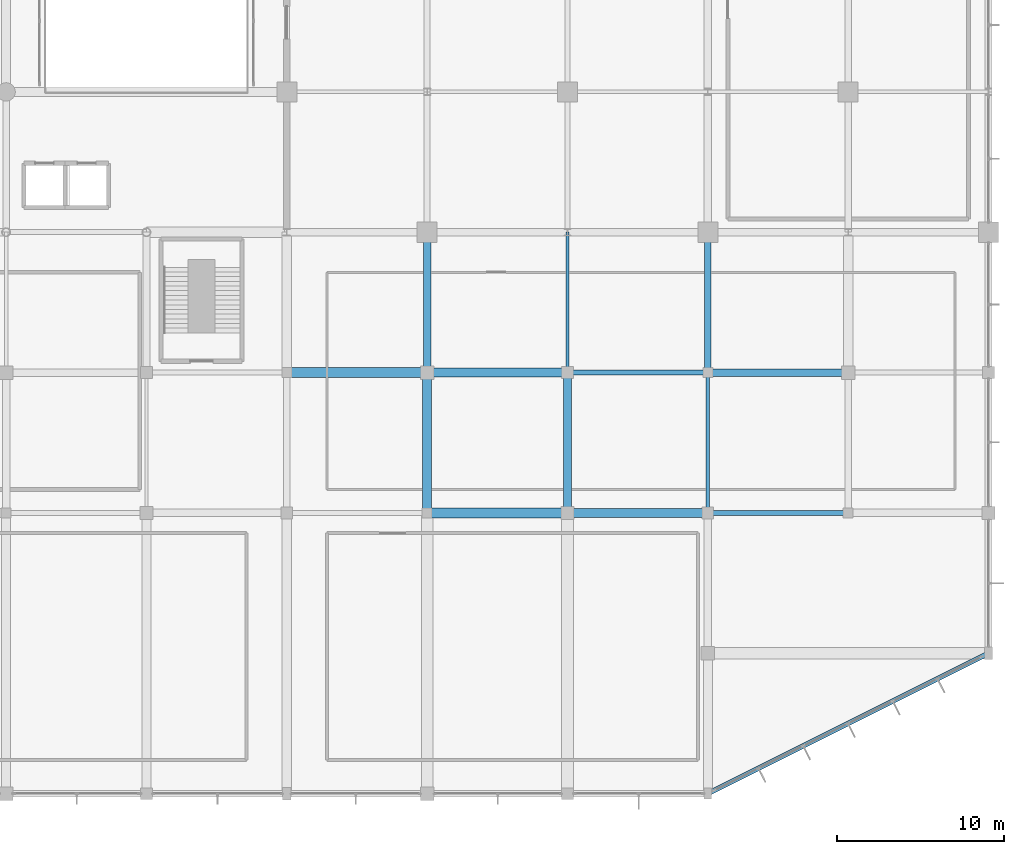
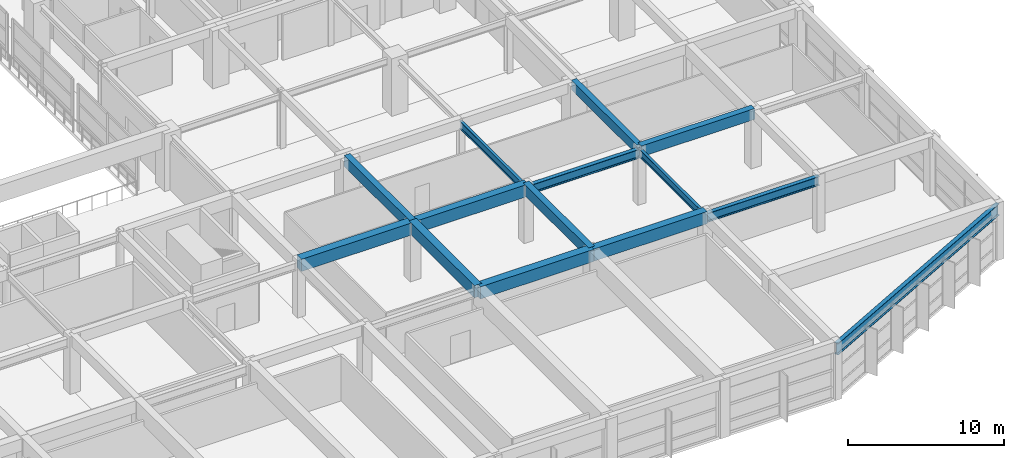
# One storey, part 34 of 65: 14 beams.
"""IFC4 building model written with IfcOpenShell, lengths in metres."""

from ifc_helpers import new_model, si_unit, direction, frame, origin, origin_2d, place, context, subcontext, project, spatial, rectangle, i_section, extrude, material, material_profile, profile_set, type_object, element, save


model = new_model("IFC4")

# Units and contexts
model_context = context("Model", 3, precision=1e-05, world=origin(), true_north=direction((0.0, 1.0)))
body_context = subcontext(model_context, "Body", "Model", "MODEL_VIEW")
ifc_project = project(units=[si_unit("LENGTHUNIT", "METRE"), si_unit("AREAUNIT", "SQUARE_METRE"), si_unit("VOLUMEUNIT", "CUBIC_METRE"), si_unit("PLANEANGLEUNIT", "RADIAN"), si_unit("MASSUNIT", "GRAM", prefix="KILO")], contexts=[model_context])

# Site, building, storey
site_placement = place(None, origin())
site = spatial("IfcSite", under=ifc_project, at=site_placement, CompositionType="ELEMENT")
building_placement = place(site_placement, origin())
building = spatial("IfcBuilding", under=site, at=building_placement, Name="Xuanlan Plaza Opera House", CompositionType="ELEMENT")
storey_placement = place(building_placement, frame((0.0, 0.0, 5.39990234375)))
storey = spatial("IfcBuildingStorey", under=building, at=storey_placement, Name="L01", CompositionType="ELEMENT", Elevation=5.39990234375)

# Beams
ifc_material_1 = material(Name="Concrete C50", Category="concrete")
ifc_material_profile_1 = material_profile(ifc_material_1, rectangle(XDim=0.60009765625, YDim=0.949951171875, at=origin_2d()), Name="RC-BM 600x950")
ifc_profile_set_1 = profile_set([ifc_material_profile_1], Name="Concrete C50")
beam_type_1 = type_object("IfcBeamType", Name="STR-BM-B-01", PredefinedType="BEAM", material=ifc_profile_set_1)
beam_1_placement = place(storey_placement, frame((134.39990234375, 16.800048828125, 4.025146484375), z_axis=(1.0, 0.0, 0.0), x_axis=(0.0, 1.0, 0.0)))
element("IfcBeam", 1, at=beam_1_placement, inside=storey, type_object=beam_type_1, Name="Grid Beam X L01 17-18/C", PredefinedType="BEAM", context=body_context, shape_type="SweptSolid", body=[
    extrude(rectangle(XDim=0.60009765625, YDim=0.949951171875, at=origin_2d()), origin(), (0.0, 0.0, 1.0), 8.400146484375),
])
beam_2_placement = place(storey_placement, frame((126.0, 25.199951171875, 4.025146484375), z_axis=(1.0, 0.0, 0.0), x_axis=(0.0, 1.0, 0.0)))
element("IfcBeam", 2, at=beam_2_placement, inside=storey, type_object=beam_type_1, Name="Grid Beam X L01 16-17/D", PredefinedType="BEAM", context=body_context, shape_type="SweptSolid", body=[
    extrude(rectangle(XDim=0.60009765625, YDim=0.949951171875, at=origin_2d()), origin(), (0.0, 0.0, 1.0), 8.39990234375),
])
ifc_material_profile_2 = material_profile(ifc_material_1, rectangle(XDim=0.550048828125, YDim=0.949951171875, at=origin_2d()), Name="RC-BM 550x950")
ifc_profile_set_2 = profile_set([ifc_material_profile_2], Name="Concrete C50")
beam_type_2 = type_object("IfcBeamType", Name="STR-BM-B-02", PredefinedType="BEAM", material=ifc_profile_set_2)
beam_3_placement = place(storey_placement, frame((142.800048828125, 16.800048828125, 4.025146484375), z_axis=(1.0, 0.0, 0.0), x_axis=(0.0, 1.0, 0.0)))
element("IfcBeam", 3, at=beam_3_placement, inside=storey, type_object=beam_type_2, Name="Grid Beam X L01 18-19/C", PredefinedType="BEAM", context=body_context, shape_type="SweptSolid", body=[
    extrude(rectangle(XDim=0.550048828125, YDim=0.949951171875, at=origin_2d()), origin(), (0.0, 0.0, 1.0), 8.39990234375),
])
beam_4_placement = place(storey_placement, frame((134.39990234375, 25.199951171875, 4.025146484375), z_axis=(1.0, 0.0, 0.0), x_axis=(0.0, 1.0, 0.0)))
element("IfcBeam", 4, at=beam_4_placement, inside=storey, type_object=beam_type_2, Name="Grid Beam X L01 17-18/D", PredefinedType="BEAM", context=body_context, shape_type="SweptSolid", body=[
    extrude(rectangle(XDim=0.550048828125, YDim=0.949951171875, at=origin_2d()), origin(), (0.0, 0.0, 1.0), 8.400146484375),
])
beam_5_placement = place(storey_placement, frame((134.39990234375, 16.800048828125, 4.025146484375), z_axis=(0.0, 1.0, 0.0), x_axis=(-1.0, 0.0, 0.0)))
element("IfcBeam", 5, at=beam_5_placement, inside=storey, type_object=beam_type_2, Name="Grid Beam Y L01 17/C-D", PredefinedType="BEAM", context=body_context, shape_type="SweptSolid", body=[
    extrude(rectangle(XDim=0.550048828125, YDim=0.949951171875, at=origin_2d()), origin(), (0.0, 0.0, 1.0), 8.39990234375),
])
ifc_material_2 = material(Name="Concrete C40", Category="concrete")
ifc_material_profile_3 = material_profile(ifc_material_2, rectangle(XDim=0.449951171875, YDim=0.85009765625, at=origin_2d()), Name="RC-BM 450x850")
ifc_profile_set_3 = profile_set([ifc_material_profile_3], Name="Concrete C40")
beam_type_3 = type_object("IfcBeamType", Name="STR-BM-B-04", PredefinedType="BEAM", material=ifc_profile_set_3)
for number, where, z_axis, x_axis, name in (
    (6, (151.199951171875, 25.199951171875, 4.0751953125), (1.0, 0.0, 0.0), (0.0, 1.0, 0.0), "Grid Beam X L01 19-20/D"),
    (7, (134.39990234375, 25.199951171875, 4.0751953125), (0.0, 1.0, 0.0), (-1.0, 0.0, 0.0), "Grid Beam Y L01 17/D-E"),
):
    element("IfcBeam", number, at=place(storey_placement, frame(where, z_axis=z_axis, x_axis=x_axis)), inside=storey, type_object=beam_type_3, Name=name, PredefinedType="BEAM", context=body_context, shape_type="SweptSolid", body=[
        extrude(rectangle(XDim=0.449951171875, YDim=0.85009765625, at=origin_2d()), origin(), (0.0, 0.0, 1.0), 8.400146484375),
    ])
beam_6_placement = place(storey_placement, frame((142.800048828125, 16.800048828125, 4.0751953125), z_axis=(0.0, 1.0, 0.0), x_axis=(-1.0, 0.0, 0.0)))
element("IfcBeam", 8, at=beam_6_placement, inside=storey, type_object=beam_type_3, Name="Grid Beam Y L01 18/C-D", PredefinedType="BEAM", context=body_context, shape_type="SweptSolid", body=[
    extrude(rectangle(XDim=0.449951171875, YDim=0.85009765625, at=origin_2d()), origin(), (0.0, 0.0, 1.0), 8.39990234375),
])
ifc_material_profile_4 = material_profile(ifc_material_2, rectangle(XDim=0.39990234375, YDim=0.75, at=origin_2d()), Name="RC-BM 400x750")
ifc_profile_set_4 = profile_set([ifc_material_profile_4], Name="Concrete C40")
beam_type_4 = type_object("IfcBeamType", Name="STR-BM-B-06", PredefinedType="BEAM", material=ifc_profile_set_4)
beam_7_placement = place(storey_placement, frame((151.199951171875, 25.199951171875, 4.125), z_axis=(0.0, 1.0, 0.0), x_axis=(-1.0, 0.0, 0.0)))
element("IfcBeam", 9, at=beam_7_placement, inside=storey, type_object=beam_type_4, Name="Grid Beam Y L01 19/D-E", PredefinedType="BEAM", context=body_context, shape_type="SweptSolid", body=[
    extrude(rectangle(XDim=0.39990234375, YDim=0.75, at=origin_2d()), origin(), (0.0, 0.0, 1.0), 8.400146484375),
])
ifc_material_3 = material(Name="Steel Q355B", Category="steel")
ifc_material_profile_5 = material_profile(ifc_material_3, i_section(OverallWidth=0.300048828125, OverallDepth=0.699951171875, WebThickness=0.012939453125, FlangeThickness=0.02392578125, FilletRadius=0.02392578125, at=origin_2d()), Name="HN 700x300x13x24")
ifc_profile_set_5 = profile_set([ifc_material_profile_5], Name="Steel Q355B")
beam_type_5 = type_object("IfcBeamType", Name="STR-BM-SB-03", PredefinedType="BEAM", material=ifc_profile_set_5)
beam_8_placement = place(storey_placement, frame((151.199951171875, 16.800048828125, 3.885009765625), z_axis=(1.0, 0.0, 0.0), x_axis=(0.0, 1.0, 0.0)))
element("IfcBeam", 10, at=beam_8_placement, inside=storey, type_object=beam_type_5, Name="Grid Beam X L01 19-20/C", PredefinedType="BEAM", context=body_context, shape_type="SweptSolid", body=[
    extrude(i_section(OverallWidth=0.300048828125, OverallDepth=0.699951171875, WebThickness=0.012939453125, FlangeThickness=0.02392578125, FilletRadius=0.02392578125, at=origin_2d()), origin(), (0.0, 0.0, 1.0), 8.400146484375),
])
beam_9_placement = place(storey_placement, frame((142.800048828125, 25.199951171875, 3.885009765625), z_axis=(1.0, 0.0, 0.0), x_axis=(0.0, 1.0, 0.0)))
element("IfcBeam", 11, at=beam_9_placement, inside=storey, type_object=beam_type_5, Name="Grid Beam X L01 18-19/D", PredefinedType="BEAM", context=body_context, shape_type="SweptSolid", body=[
    extrude(i_section(OverallWidth=0.300048828125, OverallDepth=0.699951171875, WebThickness=0.012939453125, FlangeThickness=0.02392578125, FilletRadius=0.02392578125, at=origin_2d()), origin(), (0.0, 0.0, 1.0), 8.39990234375),
])
ifc_material_profile_6 = material_profile(ifc_material_3, i_section(OverallWidth=0.199951171875, OverallDepth=0.60009765625, WebThickness=0.010986328125, FlangeThickness=0.01708984375, FilletRadius=0.02197265625, at=origin_2d()), Name="HN 600x200x11x17")
ifc_profile_set_6 = profile_set([ifc_material_profile_6], Name="Steel Q355B")
beam_type_6 = type_object("IfcBeamType", Name="STR-BM-SB-04", PredefinedType="BEAM", material=ifc_profile_set_6)
beam_10_placement = place(storey_placement, frame((142.800048828125, 25.199951171875, 3.93505859375), z_axis=(0.0, 1.0, 0.0), x_axis=(-1.0, 0.0, 0.0)))
element("IfcBeam", 12, at=beam_10_placement, inside=storey, type_object=beam_type_6, Name="Grid Beam Y L01 18/D-E", PredefinedType="BEAM", context=body_context, shape_type="SweptSolid", body=[
    extrude(i_section(OverallWidth=0.199951171875, OverallDepth=0.60009765625, WebThickness=0.010986328125, FlangeThickness=0.01708984375, FilletRadius=0.02197265625, at=origin_2d()), origin(), (0.0, 0.0, 1.0), 8.400146484375),
])
beam_11_placement = place(storey_placement, frame((151.199951171875, 16.800048828125, 3.93505859375), z_axis=(0.0, 1.0, 0.0), x_axis=(-1.0, 0.0, 0.0)))
element("IfcBeam", 13, at=beam_11_placement, inside=storey, type_object=beam_type_6, Name="Grid Beam Y L01 19/C-D", PredefinedType="BEAM", context=body_context, shape_type="SweptSolid", body=[
    extrude(i_section(OverallWidth=0.199951171875, OverallDepth=0.60009765625, WebThickness=0.010986328125, FlangeThickness=0.01708984375, FilletRadius=0.02197265625, at=origin_2d()), origin(), (0.0, 0.0, 1.0), 8.39990234375),
])
ifc_material_4 = material(Name="Steel Q390B", Category="steel")
ifc_material_profile_7 = material_profile(ifc_material_4, i_section(OverallWidth=0.300048828125, OverallDepth=0.89990234375, WebThickness=0.01611328125, FlangeThickness=0.028076171875, FilletRadius=0.028076171875, at=origin_2d()), Name="HN 900x300x16x28")
ifc_profile_set_7 = profile_set([ifc_material_profile_7], Name="Steel Q390B")
beam_type_7 = type_object("IfcBeamType", Name="STR-BM-SP-04", PredefinedType="SPANDREL", material=ifc_profile_set_7)
beam_12_placement = place(storey_placement, frame((168.0, 8.39990234375, 3.78515625), z_axis=(-0.89442979058, -0.447208396302, 0.0), x_axis=(0.447208396302, -0.89442979058, 0.0)))
element("IfcBeam", 14, at=beam_12_placement, inside=storey, type_object=beam_type_7, Name="Faceted Edge Spandrel L01 CH17", PredefinedType="SPANDREL", context=body_context, shape_type="SweptSolid", body=[
    extrude(i_section(OverallWidth=0.300048828125, OverallDepth=0.89990234375, WebThickness=0.01611328125, FlangeThickness=0.028076171875, FilletRadius=0.028076171875, at=origin_2d()), origin(), (0.0, 0.0, 1.0), 18.782958984375),
])

save(model, "model.ifc")
